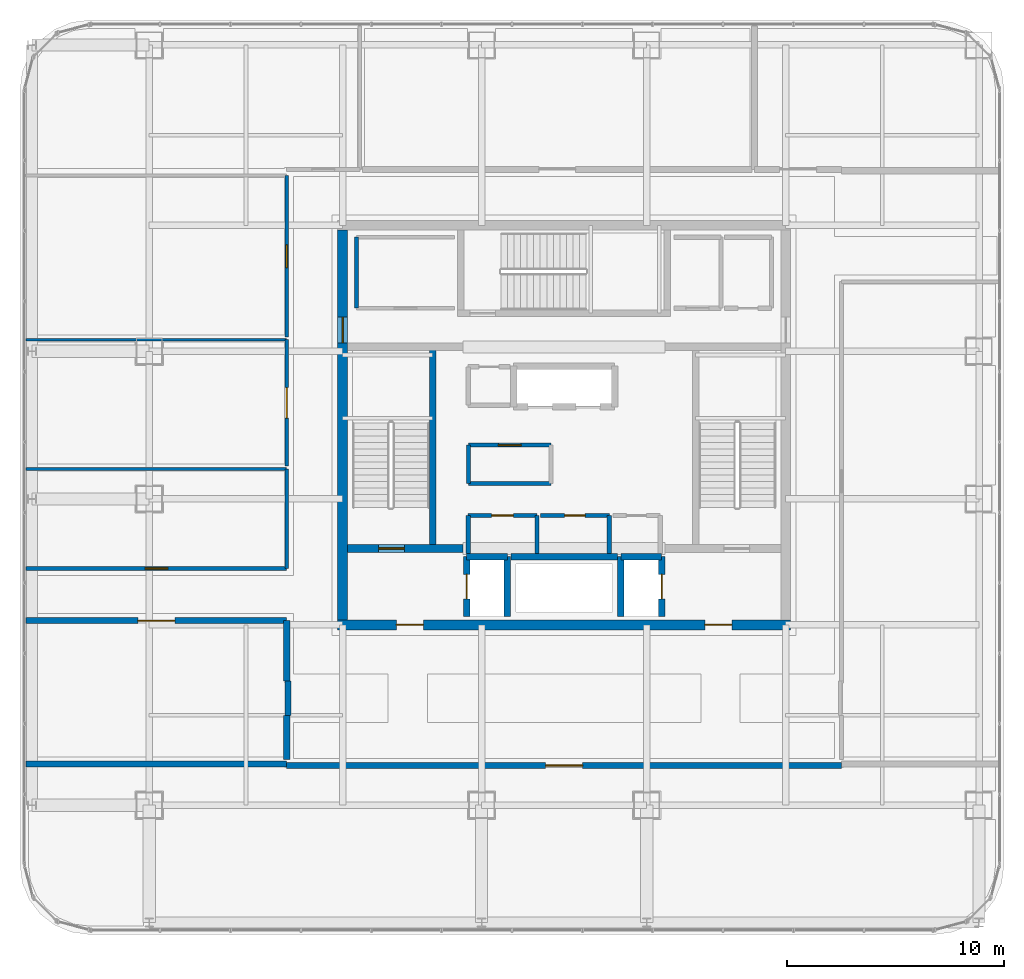
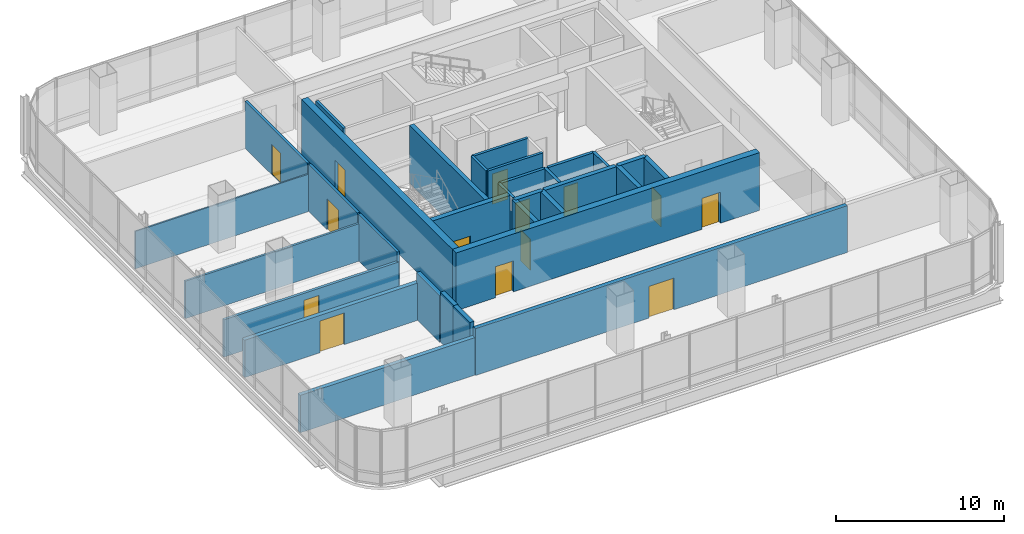
# One storey, part 35 of 42: 32 walls, 14 doors, 14 openings.
"""IFC4 building model written with IfcOpenShell, lengths in metres."""

from ifc_helpers import new_model, si_unit, direction, frame, frame_2d, origin, place, context, subcontext, project, spatial, rectangle, extrude, material, layer, layer_set, type_object, element, fill, save


model = new_model("IFC4")

# Units and contexts
model_context = context("Model", 3, precision=1e-05, world=origin(), true_north=direction((0.0, 1.0)))
body_context = subcontext(model_context, "Body", "Model", "MODEL_VIEW")
ifc_project = project(units=[si_unit("LENGTHUNIT", "METRE"), si_unit("AREAUNIT", "SQUARE_METRE"), si_unit("VOLUMEUNIT", "CUBIC_METRE"), si_unit("PLANEANGLEUNIT", "RADIAN"), si_unit("MASSUNIT", "GRAM", prefix="KILO")], contexts=[model_context])

# Site, building, storey
site_placement = place(None, origin())
site = spatial("IfcSite", under=ifc_project, at=site_placement, CompositionType="ELEMENT")
building_placement = place(site_placement, origin())
building = spatial("IfcBuilding", under=site, at=building_placement, Name="Punatoya Terracotta Tower", CompositionType="ELEMENT")
storey_placement = place(building_placement, frame((0.0, 0.0, 325.800048828125)))
storey = spatial("IfcBuildingStorey", under=building, at=storey_placement, Name="L77", CompositionType="ELEMENT", Elevation=325.800048828125)

# Wall
ifc_material_1 = material(Name="Concrete C40/50", Category="concrete")
ifc_layer_1 = layer(ifc_material_1, 0.280029296875)
ifc_layer_set_1 = layer_set([ifc_layer_1], Name="Concrete C40/50")
wall_type_1 = type_object("IfcWallType", Name="WL-AUD-280", PredefinedType="SOLIDWALL", material=ifc_layer_set_1)
wall_1_placement = place(storey_placement, frame((-24.77001953125, -15.610107421875, 0.0), z_axis=(0.0, 0.0, 1.0), x_axis=(1.0, 0.0, 0.0)))
element("IfcWall", 1, at=wall_1_placement, inside=storey, type_object=wall_type_1, Name="L77 Client Dining Salon Partition 24", PredefinedType="SOLIDWALL", context=body_context, shape_type="SweptSolid", body=[
    extrude(rectangle(XDim=12.0, YDim=0.280029296875, at=frame_2d((6.0, 0.0))), origin(), (0.0, 0.0, 1.0), 2.7138671875),
])

# Wall, opening, door
wall_2_placement = place(storey_placement, frame((-12.77001953125, -15.669921875, 0.0), z_axis=(0.0, 0.0, 1.0), x_axis=(1.0, 0.0, 0.0)))
wall_2 = element("IfcWall", 2, at=wall_2_placement, inside=storey, type_object=wall_type_1, Name="L77 Client Dining Salon Partition 25", PredefinedType="SOLIDWALL", context=body_context, shape_type="SweptSolid", body=[
    extrude(rectangle(XDim=25.5400390625, YDim=0.280029296875, at=frame_2d((12.77001953125, 0.0))), origin(), (0.0, 0.0, 1.0), 3.39404296875),
])
opening_1_placement = place(wall_2_placement, frame((11.919921875, 0.0, 0.0)))
opening_1 = element("IfcOpeningElement", 3, at=opening_1_placement, cuts=wall_2, Name="Opening FD-D1", PredefinedType="OPENING", context=body_context, shape_type="SweptSolid", body=[
    extrude(rectangle(XDim=1.699951171875, YDim=2.300048828125, at=frame_2d((0.85009765625, 1.14990234375))), frame((0.0, 0.14990234375, 0.0), z_axis=(0.0, -1.0, 0.0), x_axis=(1.0, 0.0, 0.0)), (0.0, 0.0, 1.0), 0.300048828125),
])
ifc_material_2 = material(Name="Timber Teak Veneer Fire Leaf", Category="wood")
door_type_1 = type_object("IfcDoorType", Name="DR-DIN-1700", OperationType="NOTDEFINED", PredefinedType="DOOR", material=ifc_material_2)
door_1_placement = place(opening_1_placement, origin())
door_1 = element("IfcDoor", 4, at=door_1_placement, inside=storey, type_object=door_type_1, Name="L77 Client Dining Salon Fire Door", OperationType="DOUBLE_DOOR_SINGLE_SWING", OverallHeight=2.300048828125, OverallWidth=1.699951171875, PredefinedType="DOOR", context=body_context, shape_type="SweptSolid", body=[
    extrude(rectangle(XDim=1.699951171875, YDim=2.300048828125, at=frame_2d((0.85009765625, 1.14990234375))), frame((0.0, 0.02490234375, 0.0), z_axis=(0.0, -1.0, 0.0), x_axis=(1.0, 0.0, 0.0)), (0.0, 0.0, 1.0), 0.050048828125),
])
fill(opening_1, door_1)

wall_3_placement = place(storey_placement, frame((-24.77001953125, -9.0, 0.0), z_axis=(0.0, 0.0, 1.0), x_axis=(1.0, 0.0, 0.0)))
wall_3 = element("IfcWall", 5, at=wall_3_placement, inside=storey, type_object=wall_type_1, Name="L77 Executive Bistro Lounge Partition 27", PredefinedType="SOLIDWALL", context=body_context, shape_type="SweptSolid", body=[
    extrude(rectangle(XDim=12.0, YDim=0.280029296875, at=frame_2d((6.0, 0.0))), origin(), (0.0, 0.0, 1.0), 2.7138671875),
])
opening_2_placement = place(wall_3_placement, frame((5.14990234375, 0.0, 0.0)))
opening_2 = element("IfcOpeningElement", 6, at=opening_2_placement, cuts=wall_3, Name="Opening FD-D1", PredefinedType="OPENING", context=body_context, shape_type="SweptSolid", body=[
    extrude(rectangle(XDim=1.699951171875, YDim=2.300048828125, at=frame_2d((0.85009765625, 1.14990234375))), frame((0.0, 0.14990234375, 0.0), z_axis=(0.0, -1.0, 0.0), x_axis=(1.0, 0.0, 0.0)), (0.0, 0.0, 1.0), 0.300048828125),
])
door_2_placement = place(opening_2_placement, origin())
door_2 = element("IfcDoor", 7, at=door_2_placement, inside=storey, type_object=door_type_1, Name="L77 Executive Bistro Lounge Fire Door", OperationType="DOUBLE_DOOR_SINGLE_SWING", OverallHeight=2.300048828125, OverallWidth=1.699951171875, PredefinedType="DOOR", context=body_context, shape_type="SweptSolid", body=[
    extrude(rectangle(XDim=1.699951171875, YDim=2.300048828125, at=frame_2d((0.85009765625, 1.14990234375))), frame((0.0, 0.02490234375, 0.0), z_axis=(0.0, -1.0, 0.0), x_axis=(1.0, 0.0, 0.0)), (0.0, 0.0, 1.0), 0.050048828125),
])
fill(opening_2, door_2)

# Walls
wall_4_placement = place(storey_placement, frame((-12.77001953125, -9.0, 0.0), z_axis=(0.0, 0.0, 1.0), x_axis=(0.0, -1.0, 0.0)))
element("IfcWall", 8, at=wall_4_placement, inside=storey, type_object=wall_type_1, Name="L77 Executive Bistro Lounge Partition 28", PredefinedType="SOLIDWALL", context=body_context, shape_type="SweptSolid", body=[
    extrude(rectangle(XDim=2.77001953125, YDim=0.280029296875, at=frame_2d((1.385009765625, 0.0))), origin(), (0.0, 0.0, 1.0), 3.39404296875),
])
wall_5_placement = place(storey_placement, frame((-12.7099609375, -11.77001953125, 0.0), z_axis=(0.0, 0.0, 1.0), x_axis=(0.0, -1.0, 0.0)))
element("IfcWall", 9, at=wall_5_placement, inside=storey, type_object=wall_type_1, Name="L77 Executive Bistro Lounge Partition 29", PredefinedType="SOLIDWALL", context=body_context, shape_type="SweptSolid", body=[
    extrude(rectangle(XDim=1.60986328125, YDim=0.280029296875, at=frame_2d((0.804931640625, 0.0))), origin(), (0.0, 0.0, 1.0), 3.634033203125),
])
wall_6_placement = place(storey_placement, frame((-12.77001953125, -13.3798828125, 0.0), z_axis=(0.0, 0.0, 1.0), x_axis=(0.0, -1.0, 0.0)))
element("IfcWall", 10, at=wall_6_placement, inside=storey, type_object=wall_type_1, Name="L77 Executive Bistro Lounge Partition 30", PredefinedType="SOLIDWALL", context=body_context, shape_type="SweptSolid", body=[
    extrude(rectangle(XDim=2.010009765625, YDim=0.280029296875, at=frame_2d((1.0048828125, 0.0))), origin(), (0.0, 0.0, 1.0), 3.634033203125),
])

# Wall, openings, doors
ifc_material_3 = material(Name="Concrete C50/60", Category="concrete")
ifc_layer_2 = layer(ifc_material_3, 0.449951171875)
ifc_layer_set_2 = layer_set([ifc_layer_2], Name="Concrete C50/60")
wall_type_2 = type_object("IfcWallType", Name="WL-COR-450", PredefinedType="SHEAR", material=ifc_layer_set_2)
wall_7_placement = place(storey_placement, frame((10.425048828125, -9.199951171875, 0.0), z_axis=(0.0, 0.0, 1.0), x_axis=(-1.0, 0.0, 0.0)))
wall_7 = element("IfcWall", 11, at=wall_7_placement, inside=storey, type_object=wall_type_2, Name="L77 Core Shear Wall S", PredefinedType="SHEAR", context=body_context, shape_type="SweptSolid", body=[
    extrude(rectangle(XDim=20.85009765625, YDim=0.449951171875, at=frame_2d((10.425048828125, 0.0))), origin(), (0.0, 0.0, 1.0), 4.199951171875),
])
opening_3_placement = place(wall_7_placement, frame((2.699951171875, 0.0, 0.0)))
opening_3 = element("IfcOpeningElement", 12, at=opening_3_placement, cuts=wall_7, Name="Opening FD-L1", PredefinedType="OPENING", context=body_context, shape_type="SweptSolid", body=[
    extrude(rectangle(XDim=1.25, YDim=2.25, at=frame_2d((0.625, 1.125))), frame((0.0, 0.23486328125, 0.0), z_axis=(0.0, -1.0, 0.0), x_axis=(1.0, 0.0, 0.0)), (0.0, 0.0, 1.0), 0.469970703125),
])
opening_4_placement = place(wall_7_placement, frame((16.89990234375, 0.0, 0.0)))
opening_4 = element("IfcOpeningElement", 13, at=opening_4_placement, cuts=wall_7, Name="Opening FD-L1", PredefinedType="OPENING", context=body_context, shape_type="SweptSolid", body=[
    extrude(rectangle(XDim=1.25, YDim=2.25, at=frame_2d((0.625, 1.125))), frame((0.0, 0.23486328125, 0.0), z_axis=(0.0, -1.0, 0.0), x_axis=(1.0, 0.0, 0.0)), (0.0, 0.0, 1.0), 0.469970703125),
])
ifc_material_4 = material(Name="Galvanised Steel Smokeproof Fire Door", Category="steel")
door_type_2 = type_object("IfcDoorType", Name="DR-FFL-1250", OperationType="NOTDEFINED", PredefinedType="DOOR", material=ifc_material_4)
door_3_placement = place(opening_3_placement, origin())
door_3 = element("IfcDoor", 14, at=door_3_placement, inside=storey, type_object=door_type_2, Name="L77 East Firefighting Lobby Corridor Fire Door", OperationType="SINGLE_SWING_LEFT", OverallHeight=2.25, OverallWidth=1.25, PredefinedType="DOOR", context=body_context, shape_type="SweptSolid", body=[
    extrude(rectangle(XDim=1.25, YDim=2.25, at=frame_2d((0.625, 1.125))), frame((0.0, 0.02490234375, 0.0), z_axis=(0.0, -1.0, 0.0), x_axis=(1.0, 0.0, 0.0)), (0.0, 0.0, 1.0), 0.050048828125),
])
fill(opening_3, door_3)
door_4_placement = place(opening_4_placement, origin())
door_4 = element("IfcDoor", 15, at=door_4_placement, inside=storey, type_object=door_type_2, Name="L77 West Firefighting Lobby Corridor Fire Door", OperationType="SINGLE_SWING_RIGHT", OverallHeight=2.25, OverallWidth=1.25, PredefinedType="DOOR", context=body_context, shape_type="SweptSolid", body=[
    extrude(rectangle(XDim=1.25, YDim=2.25, at=frame_2d((0.625, 1.125))), frame((0.0, 0.02490234375, 0.0), z_axis=(0.0, -1.0, 0.0), x_axis=(1.0, 0.0, 0.0)), (0.0, 0.0, 1.0), 0.050048828125),
])
fill(opening_4, door_4)

# Wall, opening, door
wall_8_placement = place(storey_placement, frame((-10.199951171875, -8.97509765625, 0.0), z_axis=(0.0, 0.0, 1.0), x_axis=(0.0, 1.0, 0.0)))
wall_8 = element("IfcWall", 16, at=wall_8_placement, inside=storey, type_object=wall_type_2, Name="L77 Core Shear Wall W", PredefinedType="SHEAR", context=body_context, shape_type="SweptSolid", body=[
    extrude(rectangle(XDim=17.9501953125, YDim=0.449951171875, at=frame_2d((8.97509765625, 0.0))), origin(), (0.0, 0.0, 1.0), 4.199951171875),
])
opening_5_placement = place(wall_8_placement, frame((12.764892578125, 0.0, 0.0)))
opening_5 = element("IfcOpeningElement", 17, at=opening_5_placement, cuts=wall_8, Name="Opening SD-01", PredefinedType="OPENING", context=body_context, shape_type="SweptSolid", body=[
    extrude(rectangle(XDim=1.179931640625, YDim=2.199951171875, at=frame_2d((0.58984375, 1.10009765625))), frame((0.0, 0.23486328125, 0.0), z_axis=(0.0, -1.0, 0.0), x_axis=(1.0, 0.0, 0.0)), (0.0, 0.0, 1.0), 0.469970703125),
])
ifc_material_5 = material(Name="Galvanised Steel Pressurized Stair Fire Door", Category="steel")
door_type_3 = type_object("IfcDoorType", Name="DR-STR-1180", OperationType="NOTDEFINED", PredefinedType="DOOR", material=ifc_material_5)
door_5_placement = place(opening_5_placement, origin())
door_5 = element("IfcDoor", 18, at=door_5_placement, inside=storey, type_object=door_type_3, Name="L77 Central Lift Lobby West Fire Door", OperationType="SINGLE_SWING_LEFT", OverallHeight=2.199951171875, OverallWidth=1.179931640625, PredefinedType="DOOR", context=body_context, shape_type="SweptSolid", body=[
    extrude(rectangle(XDim=1.179931640625, YDim=2.199951171875, at=frame_2d((0.58984375, 1.10009765625))), frame((0.0, 0.02490234375, 0.0), z_axis=(0.0, -1.0, 0.0), x_axis=(1.0, 0.0, 0.0)), (0.0, 0.0, 1.0), 0.050048828125),
])
fill(opening_5, door_5)

ifc_material_6 = material(Name="Gypsum Fireboard + Steel Stud", Category="steel")
ifc_layer_3 = layer(ifc_material_6, 0.179931640625)
ifc_layer_set_3 = layer_set([ifc_layer_3], Name="Gypsum Fireboard + Steel Stud")
wall_type_3 = type_object("IfcWallType", Name="WL-CORR-180", PredefinedType="PARTITIONING", material=ifc_layer_set_3)
wall_9_placement = place(storey_placement, frame((-0.60009765625, -0.919921875, 0.0), z_axis=(0.0, 0.0, 1.0), x_axis=(-1.0, 0.0, 0.0)))
wall_9 = element("IfcWall", 19, at=wall_9_placement, inside=storey, type_object=wall_type_3, Name="L77 West Core Archive Office Partition 09", PredefinedType="PARTITIONING", context=body_context, shape_type="SweptSolid", body=[
    extrude(rectangle(XDim=3.7998046875, YDim=0.179931640625, at=frame_2d((1.89990234375, 0.0))), origin(), (0.0, 0.0, 1.0), 4.0),
])
opening_6_placement = place(wall_9_placement, frame((1.375, 0.0, 0.0)))
opening_6 = element("IfcOpeningElement", 20, at=opening_6_placement, cuts=wall_9, Name="Opening OD-01", PredefinedType="OPENING", context=body_context, shape_type="SweptSolid", body=[
    extrude(rectangle(XDim=1.050048828125, YDim=2.199951171875, at=frame_2d((0.52490234375, 1.10009765625))), frame((0.0, 0.099853515625, 0.0), z_axis=(0.0, -1.0, 0.0), x_axis=(1.0, 0.0, 0.0)), (0.0, 0.0, 1.0), 0.199951171875),
])
ifc_material_7 = material(Name="Bengal Teak Solid-Core Leaf")
door_type_4 = type_object("IfcDoorType", Name="DR-OFF-1050", OperationType="NOTDEFINED", PredefinedType="DOOR", material=ifc_material_7)
door_6_placement = place(opening_6_placement, origin())
door_6 = element("IfcDoor", 21, at=door_6_placement, inside=storey, type_object=door_type_4, Name="L77 West Archive Office Door", OperationType="SINGLE_SWING_RIGHT", OverallHeight=2.199951171875, OverallWidth=1.050048828125, PredefinedType="DOOR", context=body_context, shape_type="SweptSolid", body=[
    extrude(rectangle(XDim=1.050048828125, YDim=2.199951171875, at=frame_2d((0.52490234375, 1.10009765625))), frame((0.0, 0.02490234375, 0.0), z_axis=(0.0, -1.0, 0.0), x_axis=(1.0, 0.0, 0.0)), (0.0, 0.0, 1.0), 0.050048828125),
])
fill(opening_6, door_6)

# Walls
wall_10_placement = place(storey_placement, frame((-4.39990234375, -0.919921875, 0.0), z_axis=(0.0, 0.0, 1.0), x_axis=(0.0, -1.0, 0.0)))
element("IfcWall", 22, at=wall_10_placement, inside=storey, type_object=wall_type_3, Name="L77 West Core Archive Office Partition 10", PredefinedType="PARTITIONING", context=body_context, shape_type="SweptSolid", body=[
    extrude(rectangle(XDim=1.760009765625, YDim=0.179931640625, at=frame_2d((0.8798828125, 0.0))), origin(), (0.0, 0.0, 1.0), 4.0),
])
wall_11_placement = place(storey_placement, frame((-4.39990234375, -2.679931640625, 0.0), z_axis=(0.0, 0.0, 1.0), x_axis=(1.0, 0.0, 0.0)))
element("IfcWall", 23, at=wall_11_placement, inside=storey, type_object=wall_type_3, Name="L77 West Core Archive Office Partition 11", PredefinedType="PARTITIONING", context=body_context, shape_type="SweptSolid", body=[
    extrude(rectangle(XDim=3.7998046875, YDim=0.179931640625, at=frame_2d((1.89990234375, 0.0))), origin(), (0.0, 0.0, 1.0), 4.0),
])
wall_12_placement = place(storey_placement, frame((-9.550048828125, 8.64990234375, 0.0), z_axis=(0.0, 0.0, 1.0), x_axis=(0.0, -1.0, 0.0)))
element("IfcWall", 24, at=wall_12_placement, inside=storey, type_object=wall_type_3, Name="L77 West Core Records Office Partition 16", PredefinedType="PARTITIONING", context=body_context, shape_type="SweptSolid", body=[
    extrude(rectangle(XDim=3.27001953125, YDim=0.179931640625, at=frame_2d((1.635009765625, 0.0))), origin(), (0.0, 0.0, 1.0), 4.0),
])

# Wall, opening, door
wall_13_placement = place(storey_placement, frame((-12.77001953125, -6.60009765625, 0.0), z_axis=(0.0, 0.0, 1.0), x_axis=(-1.0, 0.0, 0.0)))
wall_13 = element("IfcWall", 25, at=wall_13_placement, inside=storey, type_object=wall_type_3, Name="L77 Open-Plan Visitor Reception Salon Partition 35", PredefinedType="PARTITIONING", context=body_context, shape_type="SweptSolid", body=[
    extrude(rectangle(XDim=12.0, YDim=0.179931640625, at=frame_2d((6.0, 0.0))), origin(), (0.0, 0.0, 1.0), 2.7138671875),
])
opening_7_placement = place(wall_13_placement, frame((5.47509765625, 0.0, 0.0)))
opening_7 = element("IfcOpeningElement", 26, at=opening_7_placement, cuts=wall_13, Name="Opening OD-01", PredefinedType="OPENING", context=body_context, shape_type="SweptSolid", body=[
    extrude(rectangle(XDim=1.050048828125, YDim=2.199951171875, at=frame_2d((0.52490234375, 1.10009765625))), frame((0.0, 0.099853515625, 0.0), z_axis=(0.0, -1.0, 0.0), x_axis=(1.0, 0.0, 0.0)), (0.0, 0.0, 1.0), 0.199951171875),
])
door_7_placement = place(opening_7_placement, origin())
door_7 = element("IfcDoor", 27, at=door_7_placement, inside=storey, type_object=door_type_4, Name="L77 Open-Plan Visitor Reception Salon Door", OperationType="SINGLE_SWING_RIGHT", OverallHeight=2.199951171875, OverallWidth=1.050048828125, PredefinedType="DOOR", context=body_context, shape_type="SweptSolid", body=[
    extrude(rectangle(XDim=1.050048828125, YDim=2.199951171875, at=frame_2d((0.52490234375, 1.10009765625))), frame((0.0, 0.02490234375, 0.0), z_axis=(0.0, -1.0, 0.0), x_axis=(1.0, 0.0, 0.0)), (0.0, 0.0, 1.0), 0.050048828125),
])
fill(opening_7, door_7)

# Wall
wall_14_placement = place(storey_placement, frame((-12.77001953125, -2.010009765625, 0.0), z_axis=(0.0, 0.0, 1.0), x_axis=(0.0, -1.0, 0.0)))
element("IfcWall", 28, at=wall_14_placement, inside=storey, type_object=wall_type_3, Name="L77 Open-Plan Visitor Reception Salon Partition 37", PredefinedType="PARTITIONING", context=body_context, shape_type="SweptSolid", body=[
    extrude(rectangle(XDim=4.590087890625, YDim=0.179931640625, at=frame_2d((2.294921875, 0.0))), origin(), (0.0, 0.0, 1.0), 3.39404296875),
])

# Wall, opening, door
wall_15_placement = place(storey_placement, frame((-12.77001953125, 3.929931640625, 0.0), z_axis=(0.0, 0.0, 1.0), x_axis=(0.0, -1.0, 0.0)))
wall_15 = element("IfcWall", 29, at=wall_15_placement, inside=storey, type_object=wall_type_3, Name="L77 Open-Plan Private Dining Boardroom Partition 39", PredefinedType="PARTITIONING", context=body_context, shape_type="SweptSolid", body=[
    extrude(rectangle(XDim=5.81982421875, YDim=0.179931640625, at=frame_2d((2.909912109375, 0.0))), origin(), (0.0, 0.0, 1.0), 3.39404296875),
])
opening_8_placement = place(wall_15_placement, frame((2.2099609375, 0.0, 0.0)))
opening_8 = element("IfcOpeningElement", 30, at=opening_8_placement, cuts=wall_15, Name="Opening BD-01", PredefinedType="OPENING", context=body_context, shape_type="SweptSolid", body=[
    extrude(rectangle(XDim=1.39990234375, YDim=2.25, at=frame_2d((0.699951171875, 1.125))), frame((0.0, 0.099853515625, 0.0), z_axis=(0.0, -1.0, 0.0), x_axis=(1.0, 0.0, 0.0)), (0.0, 0.0, 1.0), 0.199951171875),
])
ifc_material_8 = material(Name="Bengal Teak Acoustic Leaf")
door_type_5 = type_object("IfcDoorType", Name="DR-BRD-1400", OperationType="NOTDEFINED", PredefinedType="DOOR", material=ifc_material_8)
door_8_placement = place(opening_8_placement, origin())
door_8 = element("IfcDoor", 31, at=door_8_placement, inside=storey, type_object=door_type_5, Name="L77 Open-Plan Private Dining Boardroom Door", OperationType="SINGLE_SWING_LEFT", OverallHeight=2.25, OverallWidth=1.39990234375, PredefinedType="DOOR", context=body_context, shape_type="SweptSolid", body=[
    extrude(rectangle(XDim=1.39990234375, YDim=2.25, at=frame_2d((0.699951171875, 1.125))), frame((0.0, 0.02490234375, 0.0), z_axis=(0.0, -1.0, 0.0), x_axis=(1.0, 0.0, 0.0)), (0.0, 0.0, 1.0), 0.050048828125),
])
fill(opening_8, door_8)

wall_16_placement = place(storey_placement, frame((-12.77001953125, 11.489990234375, 0.0), z_axis=(0.0, 0.0, 1.0), x_axis=(0.0, -1.0, 0.0)))
wall_16 = element("IfcWall", 32, at=wall_16_placement, inside=storey, type_object=wall_type_3, Name="L77 Wellness Relaxation Lounge Partition 41", PredefinedType="PARTITIONING", context=body_context, shape_type="SweptSolid", body=[
    extrude(rectangle(XDim=7.43994140625, YDim=0.179931640625, at=frame_2d((3.719970703125, 0.0))), origin(), (0.0, 0.0, 1.0), 3.39404296875),
])
opening_9_placement = place(wall_16_placement, frame((3.195068359375, 0.0, 0.0)))
opening_9 = element("IfcOpeningElement", 33, at=opening_9_placement, cuts=wall_16, Name="Opening OD-01", PredefinedType="OPENING", context=body_context, shape_type="SweptSolid", body=[
    extrude(rectangle(XDim=1.050048828125, YDim=2.199951171875, at=frame_2d((0.52490234375, 1.10009765625))), frame((0.0, 0.099853515625, 0.0), z_axis=(0.0, -1.0, 0.0), x_axis=(1.0, 0.0, 0.0)), (0.0, 0.0, 1.0), 0.199951171875),
])
door_9_placement = place(opening_9_placement, origin())
door_9 = element("IfcDoor", 34, at=door_9_placement, inside=storey, type_object=door_type_4, Name="L77 Wellness Relaxation Lounge Door", OperationType="SINGLE_SWING_RIGHT", OverallHeight=2.199951171875, OverallWidth=1.050048828125, PredefinedType="DOOR", context=body_context, shape_type="SweptSolid", body=[
    extrude(rectangle(XDim=1.050048828125, YDim=2.199951171875, at=frame_2d((0.52490234375, 1.10009765625))), frame((0.0, 0.02490234375, 0.0), z_axis=(0.0, -1.0, 0.0), x_axis=(1.0, 0.0, 0.0)), (0.0, 0.0, 1.0), 0.050048828125),
])
fill(opening_9, door_9)

# Walls
ifc_material_9 = material(Name="Aluminium Framed Acoustic Glass Partition", Category="aluminium")
ifc_layer_4 = layer(ifc_material_9, 0.10009765625)
ifc_layer_set_4 = layer_set([ifc_layer_4], Name="Aluminium Framed Acoustic Glass Partition")
wall_type_4 = type_object("IfcWallType", Name="WL-GLZ-100", PredefinedType="PARTITIONING", material=ifc_layer_set_4)
wall_17_placement = place(storey_placement, frame((-24.77001953125, 3.929931640625, 0.0), z_axis=(0.0, 0.0, 1.0), x_axis=(1.0, 0.0, 0.0)))
element("IfcWall", 35, at=wall_17_placement, inside=storey, type_object=wall_type_4, Name="L77 Open-Plan Private Dining Boardroom Partition 38", PredefinedType="PARTITIONING", context=body_context, shape_type="SweptSolid", body=[
    extrude(rectangle(XDim=12.0, YDim=0.10009765625, at=frame_2d((6.0, 0.0))), origin(), (0.0, 0.0, 1.0), 2.7138671875),
])
ifc_layer_5 = layer(ifc_material_1, 0.199951171875)
ifc_layer_set_5 = layer_set([ifc_layer_5], Name="Concrete C40/50")
wall_type_5 = type_object("IfcWallType", Name="WL-INT-200", PredefinedType="SOLIDWALL", material=ifc_layer_set_5)
wall_18_placement = place(storey_placement, frame((-1.25, -5.89990234375, 0.0), z_axis=(0.0, 0.0, 1.0), x_axis=(0.0, 1.0, 0.0)))
element("IfcWall", 36, at=wall_18_placement, inside=storey, type_object=wall_type_5, Name="L77 Accessible Universal Washroom Partition 01", PredefinedType="SOLIDWALL", context=body_context, shape_type="SweptSolid", body=[
    extrude(rectangle(XDim=1.739990234375, YDim=0.199951171875, at=frame_2d((0.8701171875, 0.0))), origin(), (0.0, 0.0, 1.0), 4.0),
])

# Wall, opening, door
wall_19_placement = place(storey_placement, frame((-1.25, -4.159912109375, 0.0), z_axis=(0.0, 0.0, 1.0), x_axis=(-1.0, 0.0, 0.0)))
wall_19 = element("IfcWall", 37, at=wall_19_placement, inside=storey, type_object=wall_type_5, Name="L77 Accessible Universal Washroom Partition 02", PredefinedType="SOLIDWALL", context=body_context, shape_type="SweptSolid", body=[
    extrude(rectangle(XDim=3.169921875, YDim=0.199951171875, at=frame_2d((1.5849609375, 0.0))), origin(), (0.0, 0.0, 1.0), 4.0),
])
opening_10_placement = place(wall_19_placement, frame((1.0849609375, 0.0, 0.0)))
opening_10 = element("IfcOpeningElement", 38, at=opening_10_placement, cuts=wall_19, Name="Opening AWD-1", PredefinedType="OPENING", context=body_context, shape_type="SweptSolid", body=[
    extrude(rectangle(XDim=1.0, YDim=2.14990234375, at=frame_2d((0.5, 1.074951171875))), frame((0.0, 0.10986328125, 0.0), z_axis=(0.0, -1.0, 0.0), x_axis=(1.0, 0.0, 0.0)), (0.0, 0.0, 1.0), 0.219970703125),
])
ifc_material_10 = material(Name="Bengal Teak Accessible WC Leaf")
door_type_6 = type_object("IfcDoorType", Name="DR-ACC-1000", OperationType="NOTDEFINED", PredefinedType="DOOR", material=ifc_material_10)
door_10_placement = place(opening_10_placement, origin())
door_10 = element("IfcDoor", 39, at=door_10_placement, inside=storey, type_object=door_type_6, Name="L77 Accessible Universal Washroom Door", OperationType="SINGLE_SWING_LEFT", OverallHeight=2.14990234375, OverallWidth=1.0, PredefinedType="DOOR", context=body_context, shape_type="SweptSolid", body=[
    extrude(rectangle(XDim=1.0, YDim=2.14990234375, at=frame_2d((0.5, 1.074951171875))), frame((0.0, 0.02490234375, 0.0), z_axis=(0.0, -1.0, 0.0), x_axis=(1.0, 0.0, 0.0)), (0.0, 0.0, 1.0), 0.050048828125),
])
fill(opening_10, door_10)

# Walls
for number, where, z_axis, x_axis, name in (
    (40, (-4.419921875, -4.159912109375, 0.0), (0.0, 0.0, 1.0), (0.0, -1.0, 0.0), "L77 Accessible Universal Washroom Partition 03"),
    (41, (2.080078125, -5.89990234375, 0.0), (0.0, 0.0, 1.0), (0.0, 1.0, 0.0), "L77 All-Gender Universal Washroom Partition 04"),
):
    element("IfcWall", number, at=place(storey_placement, frame(where, z_axis=z_axis, x_axis=x_axis)), inside=storey, type_object=wall_type_5, Name=name, PredefinedType="SOLIDWALL", context=body_context, shape_type="SweptSolid", body=[
        extrude(rectangle(XDim=1.739990234375, YDim=0.199951171875, at=frame_2d((0.8701171875, 0.0))), origin(), (0.0, 0.0, 1.0), 4.0),
    ])

# Wall, opening, door
wall_20_placement = place(storey_placement, frame((2.080078125, -4.159912109375, 0.0), z_axis=(0.0, 0.0, 1.0), x_axis=(-1.0, 0.0, 0.0)))
wall_20 = element("IfcWall", 42, at=wall_20_placement, inside=storey, type_object=wall_type_5, Name="L77 All-Gender Universal Washroom Partition 05", PredefinedType="SOLIDWALL", context=body_context, shape_type="SweptSolid", body=[
    extrude(rectangle(XDim=3.170166015625, YDim=0.199951171875, at=frame_2d((1.5849609375, 0.0))), origin(), (0.0, 0.0, 1.0), 4.0),
])
opening_11_placement = place(wall_20_placement, frame((1.110107421875, 0.0, 0.0)))
opening_11 = element("IfcOpeningElement", 43, at=opening_11_placement, cuts=wall_20, Name="Opening WD-01", PredefinedType="OPENING", context=body_context, shape_type="SweptSolid", body=[
    extrude(rectangle(XDim=0.949951171875, YDim=2.14990234375, at=frame_2d((0.47509765625, 1.074951171875))), frame((0.0, 0.10986328125, 0.0), z_axis=(0.0, -1.0, 0.0), x_axis=(1.0, 0.0, 0.0)), (0.0, 0.0, 1.0), 0.219970703125),
])
ifc_material_11 = material(Name="Moisture-Resistant Laminate Timber Leaf", Category="wood")
door_type_7 = type_object("IfcDoorType", Name="DR-WC-950", OperationType="NOTDEFINED", PredefinedType="DOOR", material=ifc_material_11)
door_11_placement = place(opening_11_placement, origin())
door_11 = element("IfcDoor", 44, at=door_11_placement, inside=storey, type_object=door_type_7, Name="L77 All-Gender Universal Washroom Door", OperationType="SINGLE_SWING_RIGHT", OverallHeight=2.14990234375, OverallWidth=0.949951171875, PredefinedType="DOOR", context=body_context, shape_type="SweptSolid", body=[
    extrude(rectangle(XDim=0.949951171875, YDim=2.14990234375, at=frame_2d((0.47509765625, 1.074951171875))), frame((0.0, 0.02490234375, 0.0), z_axis=(0.0, -1.0, 0.0), x_axis=(1.0, 0.0, 0.0)), (0.0, 0.0, 1.0), 0.050048828125),
])
fill(opening_11, door_11)

# Walls
ifc_material_12 = material(Name="Acoustic Gypsum + Steel Stud", Category="steel")
ifc_layer_6 = layer(ifc_material_12, 0.139892578125)
ifc_layer_set_6 = layer_set([ifc_layer_6], Name="Acoustic Gypsum + Steel Stud")
wall_type_6 = type_object("IfcWallType", Name="WL-OFF-140", PredefinedType="PARTITIONING", material=ifc_layer_set_6)
wall_21_placement = place(storey_placement, frame((-24.77001953125, -2.010009765625, 0.0), z_axis=(0.0, 0.0, 1.0), x_axis=(1.0, 0.0, 0.0)))
element("IfcWall", 45, at=wall_21_placement, inside=storey, type_object=wall_type_6, Name="L77 Open-Plan Visitor Reception Salon Partition 36", PredefinedType="PARTITIONING", context=body_context, shape_type="SweptSolid", body=[
    extrude(rectangle(XDim=12.0, YDim=0.139892578125, at=frame_2d((6.0, 0.0))), origin(), (0.0, 0.0, 1.0), 2.7138671875),
])
ifc_layer_7 = layer(ifc_material_1, 0.300048828125)
ifc_layer_set_7 = layer_set([ifc_layer_7], Name="Concrete C40/50")
wall_type_7 = type_object("IfcWallType", Name="WL-SHF-300", PredefinedType="SOLIDWALL", material=ifc_layer_set_7)
wall_22_placement = place(storey_placement, frame((-6.050048828125, -5.5, 0.0), z_axis=(0.0, 0.0, 1.0), x_axis=(0.0, 1.0, 0.0)))
element("IfcWall", 46, at=wall_22_placement, inside=storey, type_object=wall_type_7, Name="L77 Structural Stair Shaft Wall SW-ST1-E", PredefinedType="SOLIDWALL", context=body_context, shape_type="SweptSolid", body=[
    extrude(rectangle(XDim=8.949951171875, YDim=0.300048828125, at=frame_2d((4.47509765625, 0.0))), origin(), (0.0, 0.0, 1.0), 4.199951171875),
])

# Wall, opening, door
wall_23_placement = place(storey_placement, frame((-4.489990234375, -8.820068359375, 0.0), z_axis=(0.0, 0.0, 1.0), x_axis=(0.0, 1.0, 0.0)))
wall_23 = element("IfcWall", 47, at=wall_23_placement, inside=storey, type_object=wall_type_7, Name="L77 FFL-1 Front Hoistway Wall", PredefinedType="SOLIDWALL", context=body_context, shape_type="SweptSolid", body=[
    extrude(rectangle(XDim=2.77001953125, YDim=0.300048828125, at=frame_2d((1.385009765625, 0.0))), origin(), (0.0, 0.0, 1.0), 4.0),
])
opening_12_placement = place(wall_23_placement, frame((0.824951171875, 0.0, 0.0)))
opening_12 = element("IfcOpeningElement", 48, at=opening_12_placement, cuts=wall_23, Name="Opening LD-02", PredefinedType="OPENING", context=body_context, shape_type="SweptSolid", body=[
    extrude(rectangle(XDim=1.1201171875, YDim=2.25, at=frame_2d((0.56005859375, 1.125))), frame((0.0, 0.159912109375, 0.0), z_axis=(0.0, -1.0, 0.0), x_axis=(1.0, 0.0, 0.0)), (0.0, 0.0, 1.0), 0.320068359375),
])
ifc_material_13 = material(Name="Stainless Steel Lift Landing Door", Category="steel")
door_type_8 = type_object("IfcDoorType", Name="DR-LND-1120", OperationType="NOTDEFINED", PredefinedType="DOOR", material=ifc_material_13)
door_12_placement = place(opening_12_placement, origin())
door_12 = element("IfcDoor", 49, at=door_12_placement, inside=storey, type_object=door_type_8, Name="L77 Firefighting Lift FFL-1 Sliding Landing Door", OperationType="SLIDING_TO_LEFT", OverallHeight=2.25, OverallWidth=1.1201171875, PredefinedType="DOOR", context=body_context, shape_type="SweptSolid", body=[
    extrude(rectangle(XDim=1.1201171875, YDim=2.25, at=frame_2d((0.56005859375, 1.125))), frame((0.0, 0.02490234375, 0.0), z_axis=(0.0, -1.0, 0.0), x_axis=(1.0, 0.0, 0.0)), (0.0, 0.0, 1.0), 0.050048828125),
])
fill(opening_12, door_12)

# Walls
wall_24_placement = place(storey_placement, frame((-2.610107421875, -8.820068359375, 0.0), z_axis=(0.0, 0.0, 1.0), x_axis=(0.0, 1.0, 0.0)))
element("IfcWall", 50, at=wall_24_placement, inside=storey, type_object=wall_type_7, Name="L77 FFL-1 Rear Hoistway Wall", PredefinedType="SOLIDWALL", context=body_context, shape_type="SweptSolid", body=[
    extrude(rectangle(XDim=2.77001953125, YDim=0.300048828125, at=frame_2d((1.385009765625, 0.0))), origin(), (0.0, 0.0, 1.0), 4.0),
])
wall_25_placement = place(storey_placement, frame((-4.489990234375, -6.050048828125, 0.0), z_axis=(0.0, 0.0, 1.0), x_axis=(1.0, 0.0, 0.0)))
element("IfcWall", 51, at=wall_25_placement, inside=storey, type_object=wall_type_7, Name="L77 FFL-1 North Hoistway Wall", PredefinedType="SOLIDWALL", context=body_context, shape_type="SweptSolid", body=[
    extrude(rectangle(XDim=1.8798828125, YDim=0.300048828125, at=frame_2d((0.93994140625, 0.0))), origin(), (0.0, 0.0, 1.0), 4.0),
])

# Wall, opening, door
wall_26_placement = place(storey_placement, frame((4.489990234375, -8.820068359375, 0.0), z_axis=(0.0, 0.0, 1.0), x_axis=(0.0, 1.0, 0.0)))
wall_26 = element("IfcWall", 52, at=wall_26_placement, inside=storey, type_object=wall_type_7, Name="L77 FFL-2 Front Hoistway Wall", PredefinedType="SOLIDWALL", context=body_context, shape_type="SweptSolid", body=[
    extrude(rectangle(XDim=2.77001953125, YDim=0.300048828125, at=frame_2d((1.385009765625, 0.0))), origin(), (0.0, 0.0, 1.0), 4.0),
])
opening_13_placement = place(wall_26_placement, frame((0.824951171875, 0.0, 0.0)))
opening_13 = element("IfcOpeningElement", 53, at=opening_13_placement, cuts=wall_26, Name="Opening LD-02", PredefinedType="OPENING", context=body_context, shape_type="SweptSolid", body=[
    extrude(rectangle(XDim=1.1201171875, YDim=2.25, at=frame_2d((0.56005859375, 1.125))), frame((0.0, 0.159912109375, 0.0), z_axis=(0.0, -1.0, 0.0), x_axis=(1.0, 0.0, 0.0)), (0.0, 0.0, 1.0), 0.320068359375),
])
door_13_placement = place(opening_13_placement, origin())
door_13 = element("IfcDoor", 54, at=door_13_placement, inside=storey, type_object=door_type_8, Name="L77 Firefighting Lift FFL-2 Sliding Landing Door", OperationType="SLIDING_TO_RIGHT", OverallHeight=2.25, OverallWidth=1.1201171875, PredefinedType="DOOR", context=body_context, shape_type="SweptSolid", body=[
    extrude(rectangle(XDim=1.1201171875, YDim=2.25, at=frame_2d((0.56005859375, 1.125))), frame((0.0, 0.02490234375, 0.0), z_axis=(0.0, -1.0, 0.0), x_axis=(1.0, 0.0, 0.0)), (0.0, 0.0, 1.0), 0.050048828125),
])
fill(opening_13, door_13)

# Walls
wall_27_placement = place(storey_placement, frame((2.610107421875, -8.820068359375, 0.0), z_axis=(0.0, 0.0, 1.0), x_axis=(0.0, 1.0, 0.0)))
element("IfcWall", 55, at=wall_27_placement, inside=storey, type_object=wall_type_7, Name="L77 FFL-2 Rear Hoistway Wall", PredefinedType="SOLIDWALL", context=body_context, shape_type="SweptSolid", body=[
    extrude(rectangle(XDim=2.77001953125, YDim=0.300048828125, at=frame_2d((1.385009765625, 0.0))), origin(), (0.0, 0.0, 1.0), 4.0),
])
wall_28_placement = place(storey_placement, frame((2.610107421875, -6.050048828125, 0.0), z_axis=(0.0, 0.0, 1.0), x_axis=(1.0, 0.0, 0.0)))
element("IfcWall", 56, at=wall_28_placement, inside=storey, type_object=wall_type_7, Name="L77 FFL-2 North Hoistway Wall", PredefinedType="SOLIDWALL", context=body_context, shape_type="SweptSolid", body=[
    extrude(rectangle(XDim=1.8798828125, YDim=0.300048828125, at=frame_2d((0.93994140625, 0.0))), origin(), (0.0, 0.0, 1.0), 4.0),
])
wall_29_placement = place(storey_placement, frame((-2.449951171875, -6.050048828125, 0.0), z_axis=(0.0, 0.0, 1.0), x_axis=(1.0, 0.0, 0.0)))
element("IfcWall", 57, at=wall_29_placement, inside=storey, type_object=wall_type_7, Name="L77 Observation Shuttle Rear Hoistway Wall", PredefinedType="SOLIDWALL", context=body_context, shape_type="SweptSolid", body=[
    extrude(rectangle(XDim=4.89990234375, YDim=0.300048828125, at=frame_2d((2.449951171875, 0.0))), origin(), (0.0, 0.0, 1.0), 4.0),
])

# Wall, opening, door
ifc_layer_8 = layer(ifc_material_3, 0.35009765625)
ifc_layer_set_8 = layer_set([ifc_layer_8], Name="Concrete C50/60")
wall_type_8 = type_object("IfcWallType", Name="WL-SHF-350", PredefinedType="SOLIDWALL", material=ifc_layer_set_8)
wall_30_placement = place(storey_placement, frame((-9.97509765625, -5.679931640625, 0.0), z_axis=(0.0, 0.0, 1.0), x_axis=(1.0, 0.0, 0.0)))
wall_30 = element("IfcWall", 58, at=wall_30_placement, inside=storey, type_object=wall_type_8, Name="L77 Core Web Wall CSW-L", PredefinedType="SOLIDWALL", context=body_context, shape_type="SweptSolid", body=[
    extrude(rectangle(XDim=5.3251953125, YDim=0.35009765625, at=frame_2d((2.66259765625, 0.0))), origin(), (0.0, 0.0, 1.0), 4.199951171875),
])
opening_14_placement = place(wall_30_placement, frame((1.43505859375, 0.0, 0.0)))
opening_14 = element("IfcOpeningElement", 59, at=opening_14_placement, cuts=wall_30, Name="Opening SD-01", PredefinedType="OPENING", context=body_context, shape_type="SweptSolid", body=[
    extrude(rectangle(XDim=1.179931640625, YDim=2.199951171875, at=frame_2d((0.58984375, 1.10009765625))), frame((0.0, 0.18505859375, 0.0), z_axis=(0.0, -1.0, 0.0), x_axis=(1.0, 0.0, 0.0)), (0.0, 0.0, 1.0), 0.3701171875),
])
door_14_placement = place(opening_14_placement, origin())
door_14 = element("IfcDoor", 60, at=door_14_placement, inside=storey, type_object=door_type_3, Name="L77 Stair ST-1 Smokeproof Lobby Fire Door", OperationType="SINGLE_SWING_LEFT", OverallHeight=2.199951171875, OverallWidth=1.179931640625, PredefinedType="DOOR", context=body_context, shape_type="SweptSolid", body=[
    extrude(rectangle(XDim=1.179931640625, YDim=2.199951171875, at=frame_2d((0.58984375, 1.10009765625))), frame((0.0, 0.02490234375, 0.0), z_axis=(0.0, -1.0, 0.0), x_axis=(1.0, 0.0, 0.0)), (0.0, 0.0, 1.0), 0.050048828125),
])
fill(opening_14, door_14)

save(model, "model.ifc")
